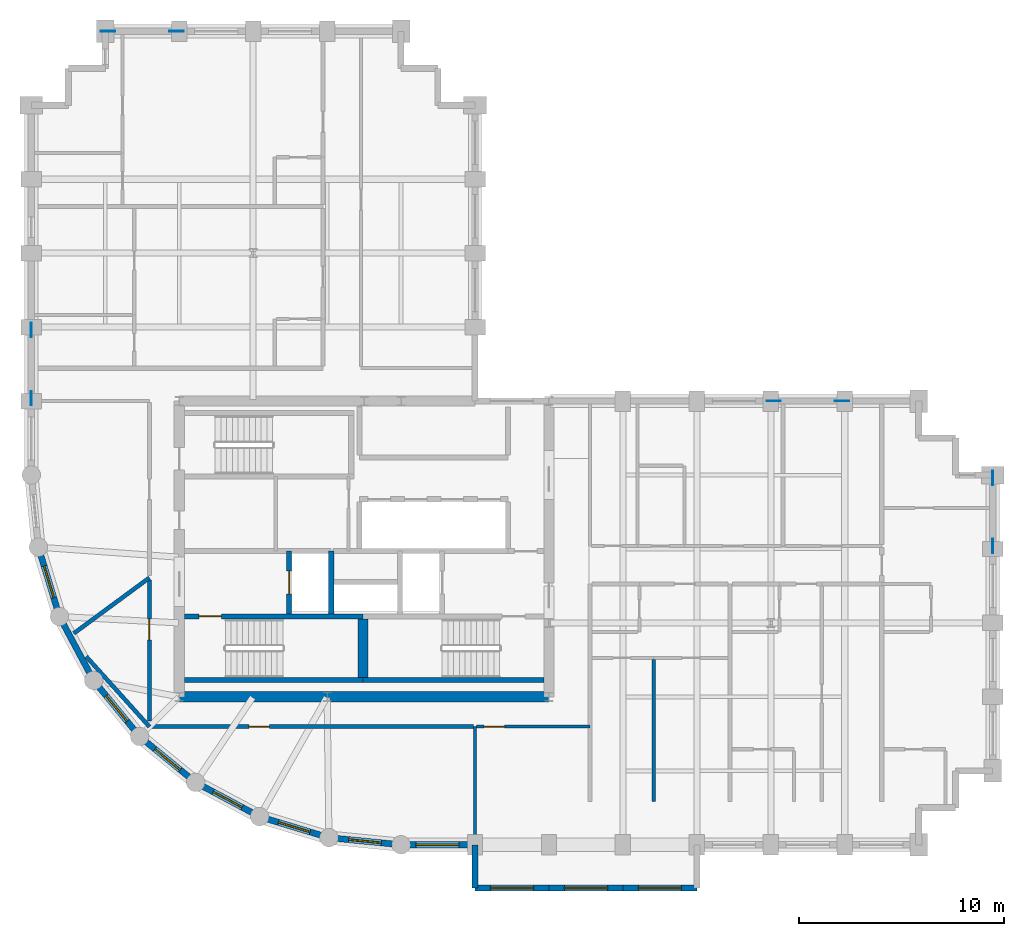
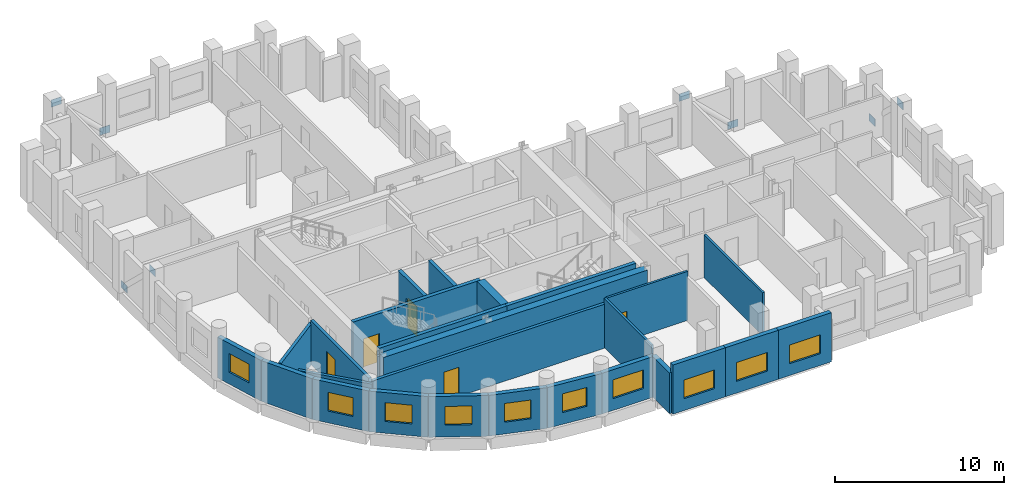
# One storey, part 3 of 9: 26 walls, 10 windows, 8 plates, 5 doors, 15 openings.
"""IFC4 building model written with IfcOpenShell, lengths in metres."""

import ifcopenshell
import ifcopenshell.guid

model = None  # the IFC model being written
_history = None  # IfcOwnerHistory: only IFC2X3 demands one
_inside = {}  # id of a spatial element -> (the spatial element, [elements in it])
_under = {}  # id of a project, library or spatial element -> (it, [spatial elements below it])
_declared = {}  # id of a project -> (the project, [libraries it declares])
_typed = {}  # id of a type object -> (the type object, [elements of that type])
_made_of = {}  # id of a material, layer set ... -> (it, [elements and type objects made of it])


def new_model(schema):
    """Start an empty IFC model of exactly this schema.

    Asked for "IFC4X3", IfcOpenShell would pick the latest addendum, in which some entities
    have other attributes; the version numbers below select the first issue.
    IFC2X3 requires an IfcOwnerHistory on every rooted entity: one is made here for all.
    """
    global model, _history
    if schema == "IFC4X3":
        model = ifcopenshell.file(schema_version=(4, 3, 0, 0))
    else:
        model = ifcopenshell.file(schema=schema)
    _inside.clear()
    _under.clear()
    _declared.clear()
    _typed.clear()
    _made_of.clear()
    _history = None
    if model.schema == "IFC2X3":
        org = make("IfcOrganization", Name="unknown")
        user = make(
            "IfcPersonAndOrganization",
            ThePerson=make("IfcPerson", FamilyName="unknown"),
            TheOrganization=org,
        )
        app = make(
            "IfcApplication",
            ApplicationDeveloper=org,
            Version="unknown",
            ApplicationFullName="unknown",
            ApplicationIdentifier="unknown",
        )
        _history = make(
            "IfcOwnerHistory",
            OwningUser=user,
            OwningApplication=app,
            ChangeAction="ADDED",
            CreationDate=0,
        )
    return model


def make(cls, **values):
    """One entity of the class cls with the attributes given. An attribute that is None is left unset."""
    return model.create_entity(
        cls, **{name: value for name, value in values.items() if value is not None}
    )


def rooted(cls, **values):
    """An entity with a GlobalId (a new one), such as an element, a storey or a relation."""
    return make(cls, GlobalId=ifcopenshell.guid.new(), OwnerHistory=_history, **values)


def si_unit(unit_type, name, prefix=None):
    """IfcSIUnit, for example si_unit("LENGTHUNIT", "METRE", prefix="MILLI")."""
    return make("IfcSIUnit", UnitType=unit_type, Prefix=prefix, Name=name)


def assignment(units):
    """IfcUnitAssignment: the units of a project."""
    return None if units is None else make("IfcUnitAssignment", Units=units)


def point(xyz):
    """IfcCartesianPoint."""
    return None if xyz is None else make("IfcCartesianPoint", Coordinates=xyz)


def direction(xyz):
    """IfcDirection."""
    return None if xyz is None else make("IfcDirection", DirectionRatios=xyz)


def frame(location, z_axis=None, x_axis=None):
    """IfcAxis2Placement3D, a coordinate frame: its origin and axes. An axis left out is left unset."""
    return make(
        "IfcAxis2Placement3D",
        Location=point(location),
        Axis=direction(z_axis),
        RefDirection=direction(x_axis),
    )


def frame_2d(location, x_axis=None):
    """IfcAxis2Placement2D, a coordinate frame in the plane: its origin and x axis."""
    return make(
        "IfcAxis2Placement2D", Location=point(location), RefDirection=direction(x_axis)
    )


def origin():
    """The frame at (0, 0, 0) with its axes left unset."""
    return frame((0.0, 0.0, 0.0))


def origin_2d():
    """The frame at (0, 0) in the plane with its x axis left unset."""
    return frame_2d((0.0, 0.0))


def place(relative_to, where):
    """IfcLocalPlacement: puts the frame where relative to a parent placement (None: the world)."""
    return make(
        "IfcLocalPlacement", PlacementRelTo=relative_to, RelativePlacement=where
    )


def context(
    kind, dimensions, precision=None, world=None, true_north=None, identifier=None
):
    """IfcGeometricRepresentationContext, for example the 3D "Model" context."""
    return make(
        "IfcGeometricRepresentationContext",
        ContextIdentifier=identifier,
        ContextType=kind,
        CoordinateSpaceDimension=dimensions,
        Precision=precision,
        WorldCoordinateSystem=world,
        TrueNorth=true_north,
    )


def subcontext(parent, identifier, kind, view, scale=None):
    """IfcGeometricRepresentationSubContext, for example "Body" below "Model"."""
    return make(
        "IfcGeometricRepresentationSubContext",
        ContextIdentifier=identifier,
        ContextType=kind,
        ParentContext=parent,
        TargetScale=scale,
        TargetView=view,
    )


def project(units=None, contexts=None):
    """IfcProject with its units and contexts."""
    return rooted(
        "IfcProject",
        Name="project",
        RepresentationContexts=contexts,
        UnitsInContext=assignment(units),
    )


def spatial(cls, under=None, at=None, **own):
    """A site, building, storey or space (cls), placed at a placement, below another one or the project."""
    s = rooted(cls, ObjectPlacement=at, **own)
    if under is not None:
        _under.setdefault(under.id(), (under, []))[1].append(s)
    return s


def profile(cls, at=None, kind="AREA", **sizes):
    """A parametric profile (cls). Its sizes go by their IFC names, for example OverallWidth=200.0."""
    return make(cls, ProfileType=kind, Position=at, **sizes)


def rectangle(**sizes):
    """IfcRectangleProfileDef."""
    return profile("IfcRectangleProfileDef", **sizes)


def extrude(swept, where, along, depth):
    """IfcExtrudedAreaSolid: the profile swept, set in the frame where, extruded along a direction by depth."""
    return make(
        "IfcExtrudedAreaSolid",
        SweptArea=swept,
        Position=where,
        ExtrudedDirection=direction(along),
        Depth=depth,
    )


def shape(context_of_items, identifier, shape_type, items):
    """IfcShapeRepresentation: the items that make up one representation, for example the "Body"."""
    return make(
        "IfcShapeRepresentation",
        ContextOfItems=context_of_items,
        RepresentationIdentifier=identifier,
        RepresentationType=shape_type,
        Items=items,
    )


def material(Name=None, Category=None):
    """IfcMaterial."""
    return make("IfcMaterial", Name=Name, Category=Category)


def layer(
    of_material, thickness, ventilated=None, Name=None, Category=None, Priority=None
):
    """IfcMaterialLayer: one layer of a wall or slab, of a material (None: an air gap)."""
    return make(
        "IfcMaterialLayer",
        Material=of_material,
        LayerThickness=thickness,
        IsVentilated=ventilated,
        Name=Name,
        Category=Category,
        Priority=Priority,
    )


def layer_set(layers, Name=None):
    """IfcMaterialLayerSet."""
    return make("IfcMaterialLayerSet", MaterialLayers=layers, LayerSetName=Name)


def made_of(thing, what):
    """Note that an element or type object is made of a material, layer set ...; save() writes the relation."""
    if what is not None:
        _made_of.setdefault(what.id(), (what, []))[1].append(thing)
    return thing


def type_object(cls, material=None, **own):
    """A type object (cls), such as IfcWallType, which elements share."""
    return made_of(rooted(cls, **own), material)


def element(
    cls,
    number,
    at=None,
    inside=None,
    cuts=None,
    type_object=None,
    material=None,
    context=None,
    identifier="Body",
    shape_type=None,
    held_by="IfcProductDefinitionShape",
    body=None,
    shapes=None,
    **own,
):
    """One element of the class cls, such as IfcWall. Its Tag is "e" and its number.

    at: its placement. inside: the storey or other place that contains it. cuts: it is an
    opening in that element (IfcRelVoidsElement). A single representation is given by context,
    identifier, shape_type and body (its items); several are given by shapes. held_by: the class
    of the entity that holds the representations. save() writes the other relations.
    """
    e = rooted(cls, Tag="e%d" % number, ObjectPlacement=at, **own)
    if body is not None:
        shapes = [shape(context, identifier, shape_type, body)]
    if shapes is not None:
        e.Representation = make(held_by, Representations=shapes)
    if inside is not None:
        _inside.setdefault(inside.id(), (inside, []))[1].append(e)
    if cuts is not None:
        rooted(
            "IfcRelVoidsElement", RelatingBuildingElement=cuts, RelatedOpeningElement=e
        )
    if type_object is not None:
        _typed.setdefault(type_object.id(), (type_object, []))[1].append(e)
    return made_of(e, material)


def fill(opening, filler):
    """IfcRelFillsElement: the door or window that sits in an opening."""
    return rooted(
        "IfcRelFillsElement",
        RelatingOpeningElement=opening,
        RelatedBuildingElement=filler,
    )


def aggregate(whole, parts):
    """IfcRelAggregates: a whole, such as a stair, and the parts it consists of."""
    return rooted("IfcRelAggregates", RelatingObject=whole, RelatedObjects=parts)


def save(model, path):
    """Write the relations noted so far, then the file.

    IfcRelAggregates (storeys below a building ...), IfcRelContainedInSpatialStructure (elements
    in a storey), IfcRelDefinesByType, IfcRelAssociatesMaterial and IfcRelDeclares: one each for
    every whole, place, type object, material and project.
    """
    for whole, parts in _under.values():
        aggregate(whole, parts)
    for where, things in _inside.values():
        rooted(
            "IfcRelContainedInSpatialStructure",
            RelatedElements=things,
            RelatingStructure=where,
        )
    for kind, things in _typed.values():
        rooted("IfcRelDefinesByType", RelatedObjects=things, RelatingType=kind)
    for what, things in _made_of.values():
        rooted("IfcRelAssociatesMaterial", RelatedObjects=things, RelatingMaterial=what)
    for by, libraries in _declared.values():
        rooted("IfcRelDeclares", RelatingContext=by, RelatedDefinitions=libraries)
    model.write(path)


model = new_model("IFC4")

# Units and contexts
model_context = context("Model", 3, precision=1e-05, world=origin(), true_north=direction((0.0, 1.0)))
body_context = subcontext(model_context, "Body", "Model", "MODEL_VIEW")
ifc_project = project(units=[si_unit("LENGTHUNIT", "METRE"), si_unit("AREAUNIT", "SQUARE_METRE"), si_unit("VOLUMEUNIT", "CUBIC_METRE"), si_unit("PLANEANGLEUNIT", "RADIAN"), si_unit("MASSUNIT", "GRAM", prefix="KILO")], contexts=[model_context])

# Site, building, storey
site_placement = place(None, origin())
site = spatial("IfcSite", under=ifc_project, at=site_placement, CompositionType="ELEMENT")
building_placement = place(site_placement, origin())
building = spatial("IfcBuilding", under=site, at=building_placement, Name="Solnavia Interchange Tower", CompositionType="ELEMENT")
storey_placement = place(building_placement, frame((0.0, 0.0, 139.0)))
storey = spatial("IfcBuildingStorey", under=building, at=storey_placement, Name="L34", CompositionType="ELEMENT", Elevation=139.0)

# Plates
ifc_material_1 = material(Name="Steel S460", Category="steel")
ifc_layer_1 = layer(ifc_material_1, 0.030029296875)
ifc_layer_set_1 = layer_set([ifc_layer_1], Name="Steel S460")
plate_type = type_object("IfcPlateType", Name="Plate-Gusset-700x520x30", PredefinedType="USERDEFINED", material=ifc_layer_set_1)
for number, where, z_axis, x_axis, name in (
    (1, (7.199951171875, 28.659912109375, -0.080078125), (0.0, 0.0, 1.0), (0.0, -1.0, 0.0), "PLT-L34-GP01 Perimeter brace gusset plate"),
    (2, (7.199951171875, 25.340087890625, 3.110107421875), (0.0, 0.0, 1.0), (0.0, -1.0, 0.0), "PLT-L34-GP02 Perimeter brace gusset plate"),
    (3, (54.0, 21.4599609375, -0.080078125), (0.0, 0.0, 1.0), (0.0, -1.0, 0.0), "PLT-L34-GP03 Perimeter brace gusset plate"),
    (4, (54.0, 18.139892578125, 3.110107421875), (0.0, 0.0, 1.0), (0.0, -1.0, 0.0), "PLT-L34-GP04 Perimeter brace gusset plate"),
    (5, (14.260009765625, 43.199951171875, -0.080078125), (0.0, 0.0, 1.0), (-1.0, 0.0, 0.0), "PLT-L34-GP05 Perimeter brace gusset plate"),
    (6, (10.93994140625, 43.199951171875, 3.110107421875), (0.0, 0.0, 1.0), (-1.0, 0.0, 0.0), "PLT-L34-GP06 Perimeter brace gusset plate"),
    (7, (46.659912109375, 25.199951171875, -0.080078125), (0.0, 0.0, 1.0), (-1.0, 0.0, 0.0), "PLT-L34-GP07 Perimeter brace gusset plate"),
    (8, (43.340087890625, 25.199951171875, 3.110107421875), (0.0, 0.0, 1.0), (-1.0, 0.0, 0.0), "PLT-L34-GP08 Perimeter brace gusset plate"),
):
    element("IfcPlate", number, at=place(storey_placement, frame(where, z_axis=z_axis, x_axis=x_axis)), inside=storey, type_object=plate_type, Name=name, ObjectType="GUSSET PLATE", PredefinedType="USERDEFINED", context=body_context, shape_type="SweptSolid", body=[
        extrude(rectangle(XDim=0.699951171875, YDim=0.030029296875, at=origin_2d()), origin(), (0.0, 0.0, 1.0), 0.52001953125),
    ])

# Walls
ifc_material_2 = material(Name="Gypsum Acoustic Twin-Stud & Mineral Wool", Category="gypsum")
ifc_layer_2 = layer(ifc_material_2, 0.199951171875)
ifc_layer_set_2 = layer_set([ifc_layer_2], Name="Gypsum Acoustic Twin-Stud & Mineral Wool")
wall_type_1 = type_object("IfcWallType", Name="Wall-ApartmentParty-200", PredefinedType="PARTITIONING", material=ifc_layer_set_2)
wall_1_placement = place(storey_placement, frame((12.949951171875, 9.35009765625, 0.0), z_axis=(0.0, 0.0, 1.0), x_axis=(-0.669422074366, 0.742882282971, 0.0)))
element("IfcWall", 9, at=wall_1_placement, inside=storey, type_object=wall_type_1, Name="PTW-L34-09 Interior partition wall", PredefinedType="PARTITIONING", context=body_context, shape_type="SweptSolid", body=[
    extrude(rectangle(XDim=4.599609375, YDim=0.199951171875, at=frame_2d((2.2998046875, 0.0))), origin(), (0.0, 0.0, 1.0), 2.929931640625),
])
wall_2_placement = place(storey_placement, frame((12.949951171875, 16.60009765625, 0.0), z_axis=(0.0, 0.0, 1.0), x_axis=(-0.805365932827, -0.592777963694, 0.0)))
element("IfcWall", 10, at=wall_2_placement, inside=storey, type_object=wall_type_1, Name="PTW-L34-10 Interior partition wall", PredefinedType="PARTITIONING", context=body_context, shape_type="SweptSolid", body=[
    extrude(rectangle(XDim=4.569580078125, YDim=0.199951171875, at=frame_2d((2.28466796875, 0.0))), origin(), (0.0, 0.0, 1.0), 2.929931640625),
])

# Wall, opening, door
wall_3_placement = place(storey_placement, frame((12.949951171875, 9.618896484375, 0.0), z_axis=(0.0, 0.0, 1.0), x_axis=(0.0, 1.0, 0.0)))
wall_3 = element("IfcWall", 11, at=wall_3_placement, inside=storey, type_object=wall_type_1, Name="PTW-L34-12 Interior partition wall", PredefinedType="PARTITIONING", context=body_context, shape_type="SweptSolid", body=[
    extrude(rectangle(XDim=6.877197265625, YDim=0.199951171875, at=frame_2d((3.4384765625, 0.0))), origin(), (0.0, 0.0, 1.0), 3.169921875),
])
opening_1_placement = place(wall_3_placement, frame((3.9619140625, 0.0, 0.0)))
opening_1 = element("IfcOpeningElement", 12, at=opening_1_placement, cuts=wall_3, Name="Opening DR-07", PredefinedType="OPENING", context=body_context, shape_type="SweptSolid", body=[
    extrude(rectangle(XDim=1.0, YDim=2.10009765625, at=frame_2d((0.5, 1.050048828125))), frame((0.0, 0.10986328125, 0.0), z_axis=(0.0, -1.0, 0.0), x_axis=(1.0, 0.0, 0.0)), (0.0, 0.0, 1.0), 0.219970703125),
])
ifc_material_3 = material(Name="Timber & Acoustic Glazed Office Door", Category="wood")
door_type_1 = type_object("IfcDoorType", Name="Door-Office-1000x2100", OperationType="SINGLE_SWING_RIGHT", PredefinedType="DOOR", material=ifc_material_3)
door_1_placement = place(opening_1_placement, origin())
door_1 = element("IfcDoor", 13, at=door_1_placement, inside=storey, type_object=door_type_1, Name="DR-L34-04 Interior room door", OperationType="SINGLE_SWING_RIGHT", OverallHeight=2.10009765625, OverallWidth=1.0, PredefinedType="DOOR", context=body_context, shape_type="SweptSolid", body=[
    extrude(rectangle(XDim=1.0, YDim=2.10009765625, at=frame_2d((0.5, 1.050048828125))), frame((0.0, 0.02490234375, 0.0), z_axis=(0.0, -1.0, 0.0), x_axis=(1.0, 0.0, 0.0)), (0.0, 0.0, 1.0), 0.050048828125),
])
fill(opening_1, door_1)

wall_4_placement = place(storey_placement, frame((12.949951171875, 9.35009765625, 0.0), z_axis=(0.0, 0.0, 1.0), x_axis=(1.0, 0.0, 0.0)))
wall_4 = element("IfcWall", 14, at=wall_4_placement, inside=storey, type_object=wall_type_1, Name="PTW-L34-13 Interior partition wall", PredefinedType="PARTITIONING", context=body_context, shape_type="SweptSolid", body=[
    extrude(rectangle(XDim=15.77099609375, YDim=0.199951171875, at=frame_2d((7.885498046875, 0.0))), origin(), (0.0, 0.0, 1.0), 3.169921875),
])
opening_2_placement = place(wall_4_placement, frame((4.8359375, 0.0, 0.0)))
opening_2 = element("IfcOpeningElement", 15, at=opening_2_placement, cuts=wall_4, Name="Opening DR-07", PredefinedType="OPENING", context=body_context, shape_type="SweptSolid", body=[
    extrude(rectangle(XDim=1.0, YDim=2.10009765625, at=frame_2d((0.5, 1.050048828125))), frame((0.0, 0.10986328125, 0.0), z_axis=(0.0, -1.0, 0.0), x_axis=(1.0, 0.0, 0.0)), (0.0, 0.0, 1.0), 0.219970703125),
])
door_2_placement = place(opening_2_placement, origin())
door_2 = element("IfcDoor", 16, at=door_2_placement, inside=storey, type_object=door_type_1, Name="DR-L34-05 Interior room door", OperationType="SINGLE_SWING_LEFT", OverallHeight=2.10009765625, OverallWidth=1.0, PredefinedType="DOOR", context=body_context, shape_type="SweptSolid", body=[
    extrude(rectangle(XDim=1.0, YDim=2.10009765625, at=frame_2d((0.5, 1.050048828125))), frame((0.0, 0.02490234375, 0.0), z_axis=(0.0, -1.0, 0.0), x_axis=(1.0, 0.0, 0.0)), (0.0, 0.0, 1.0), 0.050048828125),
])
fill(opening_2, door_2)

# Wall, opening, window
ifc_material_4 = material(Name="Concrete C40/50", Category="concrete")
ifc_layer_3 = layer(ifc_material_4, 0.300048828125)
ifc_layer_set_3 = layer_set([ifc_layer_3], Name="Concrete C40/50")
wall_type_2 = type_object("IfcWallType", Name="Wall-ExtSpandrel-300", PredefinedType="STANDARD", material=ifc_layer_set_3)
wall_5_placement = place(storey_placement, frame((28.800048828125, 3.60009765625, 0.0), z_axis=(0.0, 0.0, 1.0), x_axis=(-1.0, 0.0, 0.0)))
wall_5 = element("IfcWall", 17, at=wall_5_placement, inside=storey, type_object=wall_type_2, Name="EXW-L34-01 Exterior precast spandrel wall", PredefinedType="STANDARD", context=body_context, shape_type="SweptSolid", body=[
    extrude(rectangle(XDim=3.60009765625, YDim=0.300048828125, at=frame_2d((1.800048828125, 0.0))), origin(), (0.0, 0.0, 1.0), 2.929931640625),
])
opening_3_placement = place(wall_5_placement, frame((0.77490234375, 0.0, 0.85009765625)))
opening_3 = element("IfcOpeningElement", 18, at=opening_3_placement, cuts=wall_5, Name="Opening WIN-01", PredefinedType="OPENING", context=body_context, shape_type="SweptSolid", body=[
    extrude(rectangle(XDim=2.10009765625, YDim=1.35009765625, at=frame_2d((1.050048828125, 0.675048828125))), frame((0.0, 0.16015625, 0.0), z_axis=(0.0, -1.0, 0.0), x_axis=(1.0, 0.0, 0.0)), (0.0, 0.0, 1.0), 0.320068359375),
])
ifc_material_5 = material(Name="Thermal-Break Aluminium & Low-E Glass", Category="aluminium")
window_type_1 = type_object("IfcWindowType", Name="Window-Ribbon-2100x1350", PartitioningType="SINGLE_PANEL", PredefinedType="WINDOW", material=ifc_material_5)
window_1_placement = place(opening_3_placement, origin())
window_1 = element("IfcWindow", 19, at=window_1_placement, inside=storey, type_object=window_type_1, Name="WIN-L34-01 Facade ribbon window", OverallHeight=1.35009765625, OverallWidth=2.10009765625, PartitioningType="SINGLE_PANEL", PredefinedType="WINDOW", context=body_context, shape_type="SweptSolid", body=[
    extrude(rectangle(XDim=2.10009765625, YDim=1.35009765625, at=frame_2d((1.050048828125, 0.675048828125))), frame((0.0, 0.030029296875, 0.0), z_axis=(0.0, -1.0, 0.0), x_axis=(1.0, 0.0, 0.0)), (0.0, 0.0, 1.0), 0.06005859375),
])
fill(opening_3, window_1)

# Wall
wall_6_placement = place(storey_placement, frame((28.800048828125, 3.60009765625, 0.0), z_axis=(0.0, 0.0, 1.0), x_axis=(0.0, -1.0, 0.0)))
element("IfcWall", 20, at=wall_6_placement, inside=storey, type_object=wall_type_2, Name="EXW-L34-02 Exterior precast spandrel wall", PredefinedType="STANDARD", context=body_context, shape_type="SweptSolid", body=[
    extrude(rectangle(XDim=2.10009765625, YDim=0.300048828125, at=frame_2d((1.050048828125, 0.0))), origin(), (0.0, 0.0, 1.0), 2.929931640625),
])

# Wall, opening, window
wall_7_placement = place(storey_placement, frame((32.39990234375, 1.5, 0.0), z_axis=(0.0, 0.0, 1.0), x_axis=(-1.0, 0.0, 0.0)))
wall_7 = element("IfcWall", 21, at=wall_7_placement, inside=storey, type_object=wall_type_2, Name="EXW-L34-03 Exterior precast spandrel wall", PredefinedType="STANDARD", context=body_context, shape_type="SweptSolid", body=[
    extrude(rectangle(XDim=3.599853515625, YDim=0.300048828125, at=frame_2d((1.7998046875, 0.0))), origin(), (0.0, 0.0, 1.0), 3.534912109375),
])
opening_4_placement = place(wall_7_placement, frame((0.75, 0.0, 0.85009765625)))
opening_4 = element("IfcOpeningElement", 22, at=opening_4_placement, cuts=wall_7, Name="Opening WIN-01", PredefinedType="OPENING", context=body_context, shape_type="SweptSolid", body=[
    extrude(rectangle(XDim=2.10009765625, YDim=1.35009765625, at=frame_2d((1.050048828125, 0.675048828125))), frame((0.0, 0.16015625, 0.0), z_axis=(0.0, -1.0, 0.0), x_axis=(1.0, 0.0, 0.0)), (0.0, 0.0, 1.0), 0.320068359375),
])
window_2_placement = place(opening_4_placement, origin())
window_2 = element("IfcWindow", 23, at=window_2_placement, inside=storey, type_object=window_type_1, Name="WIN-L34-03 Facade ribbon window", OverallHeight=1.35009765625, OverallWidth=2.10009765625, PartitioningType="SINGLE_PANEL", PredefinedType="WINDOW", context=body_context, shape_type="SweptSolid", body=[
    extrude(rectangle(XDim=2.10009765625, YDim=1.35009765625, at=frame_2d((1.050048828125, 0.675048828125))), frame((0.0, 0.030029296875, 0.0), z_axis=(0.0, -1.0, 0.0), x_axis=(1.0, 0.0, 0.0)), (0.0, 0.0, 1.0), 0.06005859375),
])
fill(opening_4, window_2)

wall_8_placement = place(storey_placement, frame((36.0, 1.5, 0.0), z_axis=(0.0, 0.0, 1.0), x_axis=(-1.0, 0.0, 0.0)))
wall_8 = element("IfcWall", 24, at=wall_8_placement, inside=storey, type_object=wall_type_2, Name="EXW-L34-04 Exterior precast spandrel wall", PredefinedType="STANDARD", context=body_context, shape_type="SweptSolid", body=[
    extrude(rectangle(XDim=3.60009765625, YDim=0.300048828125, at=frame_2d((1.800048828125, 0.0))), origin(), (0.0, 0.0, 1.0), 3.534912109375),
])
opening_5_placement = place(wall_8_placement, frame((0.75, 0.0, 0.85009765625)))
opening_5 = element("IfcOpeningElement", 25, at=opening_5_placement, cuts=wall_8, Name="Opening WIN-01", PredefinedType="OPENING", context=body_context, shape_type="SweptSolid", body=[
    extrude(rectangle(XDim=2.10009765625, YDim=1.35009765625, at=frame_2d((1.050048828125, 0.675048828125))), frame((0.0, 0.16015625, 0.0), z_axis=(0.0, -1.0, 0.0), x_axis=(1.0, 0.0, 0.0)), (0.0, 0.0, 1.0), 0.320068359375),
])
window_3_placement = place(opening_5_placement, origin())
window_3 = element("IfcWindow", 26, at=window_3_placement, inside=storey, type_object=window_type_1, Name="WIN-L34-04 Facade ribbon window", OverallHeight=1.35009765625, OverallWidth=2.10009765625, PartitioningType="SINGLE_PANEL", PredefinedType="WINDOW", context=body_context, shape_type="SweptSolid", body=[
    extrude(rectangle(XDim=2.10009765625, YDim=1.35009765625, at=frame_2d((1.050048828125, 0.675048828125))), frame((0.0, 0.030029296875, 0.0), z_axis=(0.0, -1.0, 0.0), x_axis=(1.0, 0.0, 0.0)), (0.0, 0.0, 1.0), 0.06005859375),
])
fill(opening_5, window_3)

wall_9_placement = place(storey_placement, frame((39.60009765625, 1.5, 0.0), z_axis=(0.0, 0.0, 1.0), x_axis=(-1.0, 0.0, 0.0)))
wall_9 = element("IfcWall", 27, at=wall_9_placement, inside=storey, type_object=wall_type_2, Name="EXW-L34-05 Exterior precast spandrel wall", PredefinedType="STANDARD", context=body_context, shape_type="SweptSolid", body=[
    extrude(rectangle(XDim=3.60009765625, YDim=0.300048828125, at=frame_2d((1.800048828125, 0.0))), origin(), (0.0, 0.0, 1.0), 3.534912109375),
])
opening_6_placement = place(wall_9_placement, frame((0.75, 0.0, 0.85009765625)))
opening_6 = element("IfcOpeningElement", 28, at=opening_6_placement, cuts=wall_9, Name="Opening WIN-01", PredefinedType="OPENING", context=body_context, shape_type="SweptSolid", body=[
    extrude(rectangle(XDim=2.10009765625, YDim=1.35009765625, at=frame_2d((1.050048828125, 0.675048828125))), frame((0.0, 0.16015625, 0.0), z_axis=(0.0, -1.0, 0.0), x_axis=(1.0, 0.0, 0.0)), (0.0, 0.0, 1.0), 0.320068359375),
])
window_4_placement = place(opening_6_placement, origin())
window_4 = element("IfcWindow", 29, at=window_4_placement, inside=storey, type_object=window_type_1, Name="WIN-L34-05 Facade ribbon window", OverallHeight=1.35009765625, OverallWidth=2.10009765625, PartitioningType="SINGLE_PANEL", PredefinedType="WINDOW", context=body_context, shape_type="SweptSolid", body=[
    extrude(rectangle(XDim=2.10009765625, YDim=1.35009765625, at=frame_2d((1.050048828125, 0.675048828125))), frame((0.0, 0.030029296875, 0.0), z_axis=(0.0, -1.0, 0.0), x_axis=(1.0, 0.0, 0.0)), (0.0, 0.0, 1.0), 0.06005859375),
])
fill(opening_6, window_4)

wall_10_placement = place(storey_placement, frame((8.570068359375, 14.7119140625, 0.0), z_axis=(0.0, 0.0, 1.0), x_axis=(-0.290305086481, 0.956934144423, 0.0)))
wall_10 = element("IfcWall", 30, at=wall_10_placement, inside=storey, type_object=wall_type_2, Name="EXW-L34-50 Exterior precast spandrel wall", PredefinedType="STANDARD", context=body_context, shape_type="SweptSolid", body=[
    extrude(rectangle(XDim=3.52783203125, YDim=0.300048828125, at=frame_2d((1.763916015625, 0.0))), origin(), (0.0, 0.0, 1.0), 2.929931640625),
])
opening_7_placement = place(wall_10_placement, frame((0.964111328125, 0.0, 0.85009765625)))
opening_7 = element("IfcOpeningElement", 31, at=opening_7_placement, cuts=wall_10, Name="Opening WIN-04", PredefinedType="OPENING", context=body_context, shape_type="SweptSolid", body=[
    extrude(rectangle(XDim=1.60009765625, YDim=1.35009765625, at=frame_2d((0.800048828125, 0.675048828125))), frame((0.0, 0.16015625, 0.0), z_axis=(0.0, -1.0, 0.0), x_axis=(1.0, 0.0, 0.0)), (0.0, 0.0, 1.0), 0.320068359375),
])
window_type_2 = type_object("IfcWindowType", Name="Window-Drum-1600x1350", PartitioningType="SINGLE_PANEL", PredefinedType="WINDOW", material=ifc_material_5)
window_5_placement = place(opening_7_placement, origin())
window_5 = element("IfcWindow", 32, at=window_5_placement, inside=storey, type_object=window_type_2, Name="WIN-L34-50 Facade ribbon window", OverallHeight=1.35009765625, OverallWidth=1.60009765625, PartitioningType="SINGLE_PANEL", PredefinedType="WINDOW", context=body_context, shape_type="SweptSolid", body=[
    extrude(rectangle(XDim=1.60009765625, YDim=1.35009765625, at=frame_2d((0.800048828125, 0.675048828125))), frame((0.0, 0.030029296875, 0.0), z_axis=(0.0, -1.0, 0.0), x_axis=(1.0, 0.0, 0.0)), (0.0, 0.0, 1.0), 0.06005859375),
])
fill(opening_7, window_5)

# Wall
wall_11_placement = place(storey_placement, frame((10.23388671875, 11.60009765625, 0.0), z_axis=(0.0, 0.0, 1.0), x_axis=(-0.47151087309, 0.881860247748, 0.0)))
element("IfcWall", 33, at=wall_11_placement, inside=storey, type_object=wall_type_2, Name="EXW-L34-51 Exterior precast spandrel wall", PredefinedType="STANDARD", context=body_context, shape_type="SweptSolid", body=[
    extrude(rectangle(XDim=3.52880859375, YDim=0.300048828125, at=frame_2d((1.764404296875, 0.0))), origin(), (0.0, 0.0, 1.0), 2.929931640625),
])

# Wall, opening, window
wall_12_placement = place(storey_placement, frame((12.471923828125, 8.8720703125, 0.0), z_axis=(0.0, 0.0, 1.0), x_axis=(-0.634258295121, 0.773121216285, 0.0)))
wall_12 = element("IfcWall", 34, at=wall_12_placement, inside=storey, type_object=wall_type_2, Name="EXW-L34-52 Exterior precast spandrel wall", PredefinedType="STANDARD", context=body_context, shape_type="SweptSolid", body=[
    extrude(rectangle(XDim=3.528564453125, YDim=0.300048828125, at=frame_2d((1.76416015625, 0.0))), origin(), (0.0, 0.0, 1.0), 2.929931640625),
])
opening_8_placement = place(wall_12_placement, frame((0.964111328125, 0.0, 0.85009765625)))
opening_8 = element("IfcOpeningElement", 35, at=opening_8_placement, cuts=wall_12, Name="Opening WIN-04", PredefinedType="OPENING", context=body_context, shape_type="SweptSolid", body=[
    extrude(rectangle(XDim=1.60009765625, YDim=1.35009765625, at=frame_2d((0.800048828125, 0.675048828125))), frame((0.0, 0.16015625, 0.0), z_axis=(0.0, -1.0, 0.0), x_axis=(1.0, 0.0, 0.0)), (0.0, 0.0, 1.0), 0.320068359375),
])
window_6_placement = place(opening_8_placement, origin())
window_6 = element("IfcWindow", 36, at=window_6_placement, inside=storey, type_object=window_type_2, Name="WIN-L34-52 Facade ribbon window", OverallHeight=1.35009765625, OverallWidth=1.60009765625, PartitioningType="SINGLE_PANEL", PredefinedType="WINDOW", context=body_context, shape_type="SweptSolid", body=[
    extrude(rectangle(XDim=1.60009765625, YDim=1.35009765625, at=frame_2d((0.800048828125, 0.675048828125))), frame((0.0, 0.030029296875, 0.0), z_axis=(0.0, -1.0, 0.0), x_axis=(1.0, 0.0, 0.0)), (0.0, 0.0, 1.0), 0.06005859375),
])
fill(opening_8, window_6)

wall_13_placement = place(storey_placement, frame((15.199951171875, 6.634033203125, 0.0), z_axis=(0.0, 0.0, 1.0), x_axis=(-0.773121216285, 0.634258295121, 0.0)))
wall_13 = element("IfcWall", 37, at=wall_13_placement, inside=storey, type_object=wall_type_2, Name="EXW-L34-53 Exterior precast spandrel wall", PredefinedType="STANDARD", context=body_context, shape_type="SweptSolid", body=[
    extrude(rectangle(XDim=3.528564453125, YDim=0.300048828125, at=frame_2d((1.76416015625, 0.0))), origin(), (0.0, 0.0, 1.0), 2.929931640625),
])
opening_9_placement = place(wall_13_placement, frame((0.964111328125, 0.0, 0.85009765625)))
opening_9 = element("IfcOpeningElement", 38, at=opening_9_placement, cuts=wall_13, Name="Opening WIN-04", PredefinedType="OPENING", context=body_context, shape_type="SweptSolid", body=[
    extrude(rectangle(XDim=1.60009765625, YDim=1.35009765625, at=frame_2d((0.800048828125, 0.675048828125))), frame((0.0, 0.16015625, 0.0), z_axis=(0.0, -1.0, 0.0), x_axis=(1.0, 0.0, 0.0)), (0.0, 0.0, 1.0), 0.320068359375),
])
window_7_placement = place(opening_9_placement, origin())
window_7 = element("IfcWindow", 39, at=window_7_placement, inside=storey, type_object=window_type_2, Name="WIN-L34-53 Facade ribbon window", OverallHeight=1.35009765625, OverallWidth=1.60009765625, PartitioningType="SINGLE_PANEL", PredefinedType="WINDOW", context=body_context, shape_type="SweptSolid", body=[
    extrude(rectangle(XDim=1.60009765625, YDim=1.35009765625, at=frame_2d((0.800048828125, 0.675048828125))), frame((0.0, 0.030029296875, 0.0), z_axis=(0.0, -1.0, 0.0), x_axis=(1.0, 0.0, 0.0)), (0.0, 0.0, 1.0), 0.06005859375),
])
fill(opening_9, window_7)

wall_14_placement = place(storey_placement, frame((18.31201171875, 4.969970703125, 0.0), z_axis=(0.0, 0.0, 1.0), x_axis=(-0.881846862014, 0.471535907389, 0.0)))
wall_14 = element("IfcWall", 40, at=wall_14_placement, inside=storey, type_object=wall_type_2, Name="EXW-L34-54 Exterior precast spandrel wall", PredefinedType="STANDARD", context=body_context, shape_type="SweptSolid", body=[
    extrude(rectangle(XDim=3.529052734375, YDim=0.300048828125, at=frame_2d((1.7646484375, 0.0))), origin(), (0.0, 0.0, 1.0), 2.929931640625),
])
opening_10_placement = place(wall_14_placement, frame((0.964111328125, 0.0, 0.85009765625)))
opening_10 = element("IfcOpeningElement", 41, at=opening_10_placement, cuts=wall_14, Name="Opening WIN-04", PredefinedType="OPENING", context=body_context, shape_type="SweptSolid", body=[
    extrude(rectangle(XDim=1.60009765625, YDim=1.35009765625, at=frame_2d((0.800048828125, 0.675048828125))), frame((0.0, 0.16015625, 0.0), z_axis=(0.0, -1.0, 0.0), x_axis=(1.0, 0.0, 0.0)), (0.0, 0.0, 1.0), 0.320068359375),
])
window_8_placement = place(opening_10_placement, origin())
window_8 = element("IfcWindow", 42, at=window_8_placement, inside=storey, type_object=window_type_2, Name="WIN-L34-54 Facade ribbon window", OverallHeight=1.35009765625, OverallWidth=1.60009765625, PartitioningType="SINGLE_PANEL", PredefinedType="WINDOW", context=body_context, shape_type="SweptSolid", body=[
    extrude(rectangle(XDim=1.60009765625, YDim=1.35009765625, at=frame_2d((0.800048828125, 0.675048828125))), frame((0.0, 0.030029296875, 0.0), z_axis=(0.0, -1.0, 0.0), x_axis=(1.0, 0.0, 0.0)), (0.0, 0.0, 1.0), 0.06005859375),
])
fill(opening_10, window_8)

wall_15_placement = place(storey_placement, frame((21.68798828125, 3.946044921875, 0.0), z_axis=(0.0, 0.0, 1.0), x_axis=(-0.956953367403, 0.290241714123, 0.0)))
wall_15 = element("IfcWall", 43, at=wall_15_placement, inside=storey, type_object=wall_type_2, Name="EXW-L34-55 Exterior precast spandrel wall", PredefinedType="STANDARD", context=body_context, shape_type="SweptSolid", body=[
    extrude(rectangle(XDim=3.52783203125, YDim=0.300048828125, at=frame_2d((1.763916015625, 0.0))), origin(), (0.0, 0.0, 1.0), 2.929931640625),
])
opening_11_placement = place(wall_15_placement, frame((0.964111328125, 0.0, 0.85009765625)))
opening_11 = element("IfcOpeningElement", 44, at=opening_11_placement, cuts=wall_15, Name="Opening WIN-04", PredefinedType="OPENING", context=body_context, shape_type="SweptSolid", body=[
    extrude(rectangle(XDim=1.60009765625, YDim=1.35009765625, at=frame_2d((0.800048828125, 0.675048828125))), frame((0.0, 0.16015625, 0.0), z_axis=(0.0, -1.0, 0.0), x_axis=(1.0, 0.0, 0.0)), (0.0, 0.0, 1.0), 0.320068359375),
])
window_9_placement = place(opening_11_placement, origin())
window_9 = element("IfcWindow", 45, at=window_9_placement, inside=storey, type_object=window_type_2, Name="WIN-L34-55 Facade ribbon window", OverallHeight=1.35009765625, OverallWidth=1.60009765625, PartitioningType="SINGLE_PANEL", PredefinedType="WINDOW", context=body_context, shape_type="SweptSolid", body=[
    extrude(rectangle(XDim=1.60009765625, YDim=1.35009765625, at=frame_2d((0.800048828125, 0.675048828125))), frame((0.0, 0.030029296875, 0.0), z_axis=(0.0, -1.0, 0.0), x_axis=(1.0, 0.0, 0.0)), (0.0, 0.0, 1.0), 0.06005859375),
])
fill(opening_11, window_9)

wall_16_placement = place(storey_placement, frame((25.199951171875, 3.60009765625, 0.0), z_axis=(0.0, 0.0, 1.0), x_axis=(-0.995183369056, 0.098030923459, 0.0)))
wall_16 = element("IfcWall", 46, at=wall_16_placement, inside=storey, type_object=wall_type_2, Name="EXW-L34-56 Exterior precast spandrel wall", PredefinedType="STANDARD", context=body_context, shape_type="SweptSolid", body=[
    extrude(rectangle(XDim=3.529052734375, YDim=0.300048828125, at=frame_2d((1.7646484375, 0.0))), origin(), (0.0, 0.0, 1.0), 2.929931640625),
])
opening_12_placement = place(wall_16_placement, frame((0.965087890625, 0.0, 0.85009765625)))
opening_12 = element("IfcOpeningElement", 47, at=opening_12_placement, cuts=wall_16, Name="Opening WIN-04", PredefinedType="OPENING", context=body_context, shape_type="SweptSolid", body=[
    extrude(rectangle(XDim=1.60009765625, YDim=1.35009765625, at=frame_2d((0.800048828125, 0.675048828125))), frame((0.0, 0.16015625, 0.0), z_axis=(0.0, -1.0, 0.0), x_axis=(1.0, 0.0, 0.0)), (0.0, 0.0, 1.0), 0.320068359375),
])
window_10_placement = place(opening_12_placement, origin())
window_10 = element("IfcWindow", 48, at=window_10_placement, inside=storey, type_object=window_type_2, Name="WIN-L34-56 Facade ribbon window", OverallHeight=1.35009765625, OverallWidth=1.60009765625, PartitioningType="SINGLE_PANEL", PredefinedType="WINDOW", context=body_context, shape_type="SweptSolid", body=[
    extrude(rectangle(XDim=1.60009765625, YDim=1.35009765625, at=frame_2d((0.800048828125, 0.675048828125))), frame((0.0, 0.030029296875, 0.0), z_axis=(0.0, -1.0, 0.0), x_axis=(1.0, 0.0, 0.0)), (0.0, 0.0, 1.0), 0.06005859375),
])
fill(opening_12, window_10)

# Wall
ifc_material_6 = material(Name="Gypsum Plasterboard & Steel Stud", Category="steel")
ifc_layer_4 = layer(ifc_material_6, 0.14990234375)
ifc_layer_set_4 = layer_set([ifc_layer_4], Name="Gypsum Plasterboard & Steel Stud")
wall_type_3 = type_object("IfcWallType", Name="Wall-Partition-150", PredefinedType="PARTITIONING", material=ifc_layer_set_4)
wall_17_placement = place(storey_placement, frame((28.800048828125, 9.35009765625, 0.0), z_axis=(0.0, 0.0, 1.0), x_axis=(0.0, -1.0, 0.0)))
element("IfcWall", 49, at=wall_17_placement, inside=storey, type_object=wall_type_3, Name="PTW-L34-08 Interior partition wall", PredefinedType="PARTITIONING", context=body_context, shape_type="SweptSolid", body=[
    extrude(rectangle(XDim=5.59619140625, YDim=0.14990234375, at=frame_2d((2.798095703125, 0.0))), origin(), (0.0, 0.0, 1.0), 3.534912109375),
])

# Wall, opening, door
wall_18_placement = place(storey_placement, frame((28.87890625, 9.35009765625, 0.0), z_axis=(0.0, 0.0, 1.0), x_axis=(1.0, 0.0, 0.0)))
wall_18 = element("IfcWall", 50, at=wall_18_placement, inside=storey, type_object=wall_type_3, Name="PTW-L34-14 Interior partition wall", PredefinedType="PARTITIONING", context=body_context, shape_type="SweptSolid", body=[
    extrude(rectangle(XDim=5.52099609375, YDim=0.14990234375, at=frame_2d((2.760498046875, 0.0))), origin(), (0.0, 0.0, 1.0), 3.534912109375),
])
opening_13_placement = place(wall_18_placement, frame((0.360107421875, 0.0, 0.0)))
opening_13 = element("IfcOpeningElement", 51, at=opening_13_placement, cuts=wall_18, Name="Opening DR-07", PredefinedType="OPENING", context=body_context, shape_type="SweptSolid", body=[
    extrude(rectangle(XDim=1.0, YDim=2.10009765625, at=frame_2d((0.5, 1.050048828125))), frame((0.0, 0.0849609375, 0.0), z_axis=(0.0, -1.0, 0.0), x_axis=(1.0, 0.0, 0.0)), (0.0, 0.0, 1.0), 0.169921875),
])
door_3_placement = place(opening_13_placement, origin())
door_3 = element("IfcDoor", 52, at=door_3_placement, inside=storey, type_object=door_type_1, Name="DR-L34-06 Interior room door", OperationType="SINGLE_SWING_LEFT", OverallHeight=2.10009765625, OverallWidth=1.0, PredefinedType="DOOR", context=body_context, shape_type="SweptSolid", body=[
    extrude(rectangle(XDim=1.0, YDim=2.10009765625, at=frame_2d((0.5, 1.050048828125))), frame((0.0, 0.02490234375, 0.0), z_axis=(0.0, -1.0, 0.0), x_axis=(1.0, 0.0, 0.0)), (0.0, 0.0, 1.0), 0.050048828125),
])
fill(opening_13, door_3)

# Wall
ifc_layer_5 = layer(ifc_material_4, 0.25)
ifc_layer_set_5 = layer_set([ifc_layer_5], Name="Concrete C40/50")
wall_type_4 = type_object("IfcWallType", Name="Wall-ShaftCore-250", PredefinedType="SHEAR", material=ifc_layer_set_5)
wall_19_placement = place(storey_placement, frame((14.64990234375, 11.625, 0.0), z_axis=(0.0, 0.0, 1.0), x_axis=(1.0, 0.0, 0.0)))
element("IfcWall", 53, at=wall_19_placement, inside=storey, type_object=wall_type_4, Name="SHW-L34-ST1S Core shear wall", PredefinedType="SHEAR", context=body_context, shape_type="SweptSolid", body=[
    extrude(rectangle(XDim=8.7001953125, YDim=0.25, at=frame_2d((4.35009765625, 0.0))), origin(), (0.0, 0.0, 1.0), 3.550048828125),
])

# Wall, opening, door
wall_20_placement = place(storey_placement, frame((14.64990234375, 14.715087890625, 0.0), z_axis=(0.0, 0.0, 1.0), x_axis=(1.0, 0.0, 0.0)))
wall_20 = element("IfcWall", 54, at=wall_20_placement, inside=storey, type_object=wall_type_4, Name="SHW-L34-ST1N Core shear wall", PredefinedType="SHEAR", context=body_context, shape_type="SweptSolid", body=[
    extrude(rectangle(XDim=8.7001953125, YDim=0.25, at=frame_2d((4.35009765625, 0.0))), origin(), (0.0, 0.0, 1.0), 3.550048828125),
])
opening_14_placement = place(wall_20_placement, frame((0.705078125, 0.0, 0.0)))
opening_14 = element("IfcOpeningElement", 55, at=opening_14_placement, cuts=wall_20, Name="Opening DR-01", PredefinedType="OPENING", context=body_context, shape_type="SweptSolid", body=[
    extrude(rectangle(XDim=1.10009765625, YDim=2.10009765625, at=frame_2d((0.550048828125, 1.050048828125))), frame((0.0, 0.135009765625, 0.0), z_axis=(0.0, -1.0, 0.0), x_axis=(1.0, 0.0, 0.0)), (0.0, 0.0, 1.0), 0.27001953125),
])
ifc_material_7 = material(Name="Steel Fire-Rated Leaf & Frame", Category="steel")
door_type_2 = type_object("IfcDoorType", Name="Door-StairFire-1100x2100", OperationType="SINGLE_SWING_LEFT", PredefinedType="DOOR", material=ifc_material_7)
door_4_placement = place(opening_14_placement, origin())
door_4 = element("IfcDoor", 56, at=door_4_placement, inside=storey, type_object=door_type_2, Name="DR-L34-ST1 Core fire door", OperationType="SINGLE_SWING_LEFT", OverallHeight=2.10009765625, OverallWidth=1.10009765625, PredefinedType="DOOR", context=body_context, shape_type="SweptSolid", body=[
    extrude(rectangle(XDim=1.10009765625, YDim=2.10009765625, at=frame_2d((0.550048828125, 1.050048828125))), frame((0.0, 0.02490234375, 0.0), z_axis=(0.0, -1.0, 0.0), x_axis=(1.0, 0.0, 0.0)), (0.0, 0.0, 1.0), 0.050048828125),
])
fill(opening_14, door_4)

# Wall
wall_21_placement = place(storey_placement, frame((23.35009765625, 11.625, 0.0), z_axis=(0.0, 0.0, 1.0), x_axis=(1.0, 0.0, 0.0)))
element("IfcWall", 57, at=wall_21_placement, inside=storey, type_object=wall_type_4, Name="SHW-L34-ST2S Core shear wall", PredefinedType="SHEAR", context=body_context, shape_type="SweptSolid", body=[
    extrude(rectangle(XDim=8.7998046875, YDim=0.25, at=frame_2d((4.39990234375, 0.0))), origin(), (0.0, 0.0, 1.0), 3.550048828125),
])

# Wall, opening, door
ifc_layer_6 = layer(ifc_material_4, 0.25)
ifc_layer_set_6 = layer_set([ifc_layer_6], Name="Concrete C40/50")
wall_type_5 = type_object("IfcWallType", Name="Wall-ShaftPart-250", PredefinedType="PARTITIONING", material=ifc_layer_set_6)
wall_22_placement = place(storey_placement, frame((19.75, 14.840087890625, 0.0), z_axis=(0.0, 0.0, 1.0), x_axis=(0.0, 1.0, 0.0)))
wall_22 = element("IfcWall", 58, at=wall_22_placement, inside=storey, type_object=wall_type_5, Name="SHW-L34-FFL1-W Core shaft wall", PredefinedType="PARTITIONING", context=body_context, shape_type="SweptSolid", body=[
    extrude(rectangle(XDim=3.059814453125, YDim=0.25, at=frame_2d((1.52978515625, 0.0))), origin(), (0.0, 0.0, 1.0), 3.534912109375),
])
opening_15_placement = place(wall_22_placement, frame((0.97998046875, 0.0, 0.0)))
opening_15 = element("IfcOpeningElement", 59, at=opening_15_placement, cuts=wall_22, Name="Opening LD-01", PredefinedType="OPENING", context=body_context, shape_type="SweptSolid", body=[
    extrude(rectangle(XDim=1.10009765625, YDim=2.10009765625, at=frame_2d((0.550048828125, 1.050048828125))), frame((0.0, 0.135009765625, 0.0), z_axis=(0.0, -1.0, 0.0), x_axis=(1.0, 0.0, 0.0)), (0.0, 0.0, 1.0), 0.27001953125),
])
ifc_material_8 = material(Name="Brushed Stainless Steel Sliding Door", Category="steel")
door_type_3 = type_object("IfcDoorType", Name="Door-LiftLanding-1100x2100", OperationType="SLIDING_TO_LEFT", PredefinedType="DOOR", material=ifc_material_8)
door_5_placement = place(opening_15_placement, origin())
door_5 = element("IfcDoor", 60, at=door_5_placement, inside=storey, type_object=door_type_3, Name="LD-L34-FFL1 Lift landing sliding door", OperationType="SLIDING_TO_LEFT", OverallHeight=2.10009765625, OverallWidth=1.10009765625, PredefinedType="DOOR", context=body_context, shape_type="SweptSolid", body=[
    extrude(rectangle(XDim=1.10009765625, YDim=2.10009765625, at=frame_2d((0.550048828125, 1.050048828125))), frame((0.0, 0.02490234375, 0.0), z_axis=(0.0, -1.0, 0.0), x_axis=(1.0, 0.0, 0.0)), (0.0, 0.0, 1.0), 0.050048828125),
])
fill(opening_15, door_5)

# Walls
wall_23_placement = place(storey_placement, frame((21.800048828125, 14.840087890625, 0.0), z_axis=(0.0, 0.0, 1.0), x_axis=(0.0, 1.0, 0.0)))
element("IfcWall", 61, at=wall_23_placement, inside=storey, type_object=wall_type_5, Name="SHW-L34-FFL1-E Core shaft wall", PredefinedType="PARTITIONING", context=body_context, shape_type="SweptSolid", body=[
    extrude(rectangle(XDim=3.059814453125, YDim=0.25, at=frame_2d((1.52978515625, 0.0))), origin(), (0.0, 0.0, 1.0), 3.534912109375),
])
ifc_material_9 = material(Name="Concrete C60/75", Category="concrete")
ifc_layer_7 = layer(ifc_material_9, 0.5)
ifc_layer_set_7 = layer_set([ifc_layer_7], Name="Concrete C60/75")
wall_type_6 = type_object("IfcWallType", Name="Wall-ShearCore-500", PredefinedType="SHEAR", material=ifc_layer_set_7)
wall_24_placement = place(storey_placement, frame((14.39990234375, 10.800048828125, 0.0), z_axis=(0.0, 0.0, 1.0), x_axis=(1.0, 0.0, 0.0)))
element("IfcWall", 62, at=wall_24_placement, inside=storey, type_object=wall_type_6, Name="CRW-L34-S Core shear wall", PredefinedType="SHEAR", context=body_context, shape_type="SweptSolid", body=[
    extrude(rectangle(XDim=18.0, YDim=0.5, at=frame_2d((9.0, 0.0))), origin(), (0.0, 0.0, 1.0), 3.550048828125),
])
wall_25_placement = place(storey_placement, frame((23.35009765625, 11.75, 0.0), z_axis=(0.0, 0.0, 1.0), x_axis=(0.0, 1.0, 0.0)))
element("IfcWall", 63, at=wall_25_placement, inside=storey, type_object=wall_type_6, Name="SHW-L34-ST12M Core shear wall", PredefinedType="SHEAR", context=body_context, shape_type="SweptSolid", body=[
    extrude(rectangle(XDim=2.840087890625, YDim=0.5, at=frame_2d((1.419921875, 0.0))), origin(), (0.0, 0.0, 1.0), 3.550048828125),
])
ifc_material_10 = material(Name="Moisture-Resistant Gypsum & Steel Stud", Category="steel")
ifc_layer_8 = layer(ifc_material_10, 0.14990234375)
ifc_layer_set_8 = layer_set([ifc_layer_8], Name="Moisture-Resistant Gypsum & Steel Stud")
wall_type_7 = type_object("IfcWallType", Name="Wall-WetRoom-150", PredefinedType="PARTITIONING", material=ifc_layer_set_8)
wall_26_placement = place(storey_placement, frame((37.5, 5.699951171875, 0.0), z_axis=(0.0, 0.0, 1.0), x_axis=(0.0, 1.0, 0.0)))
element("IfcWall", 64, at=wall_26_placement, inside=storey, type_object=wall_type_7, Name="PTW-L34-23 Interior partition wall", PredefinedType="PARTITIONING", context=body_context, shape_type="SweptSolid", body=[
    extrude(rectangle(XDim=6.921142578125, YDim=0.14990234375, at=frame_2d((3.46044921875, 0.0))), origin(), (0.0, 0.0, 1.0), 3.080078125),
])

save(model, "model.ifc")
